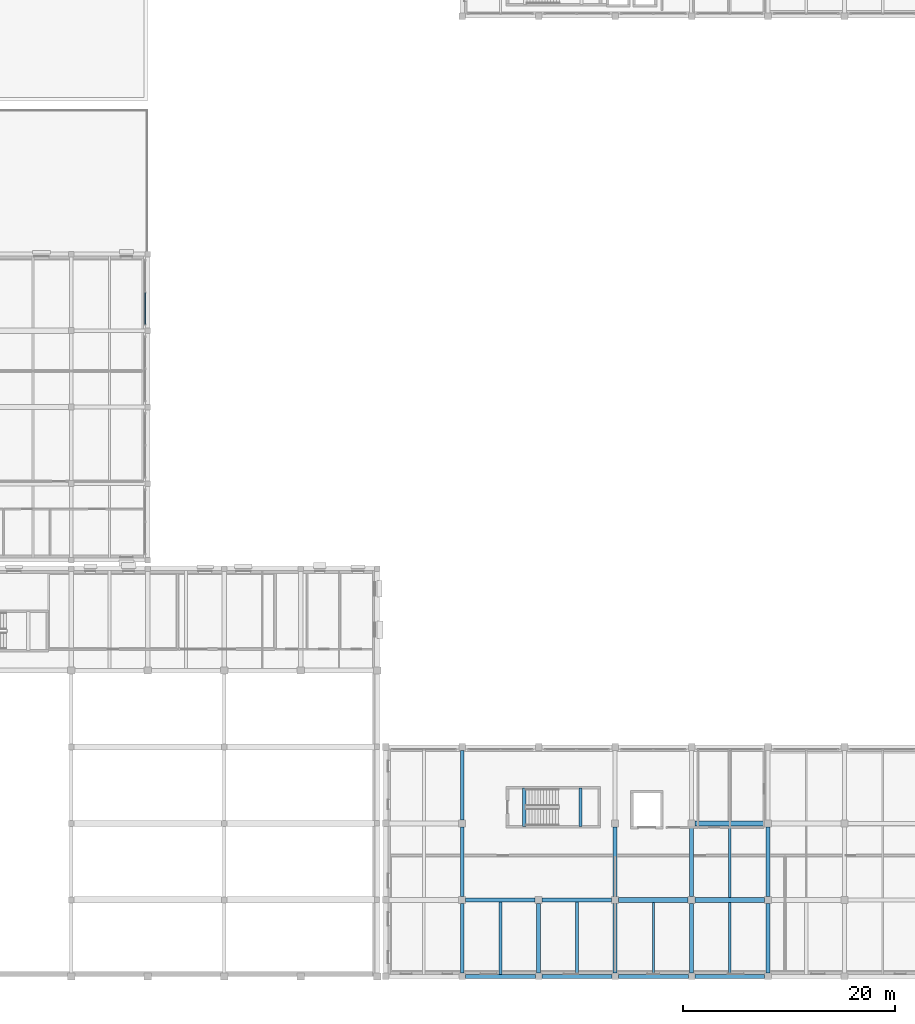
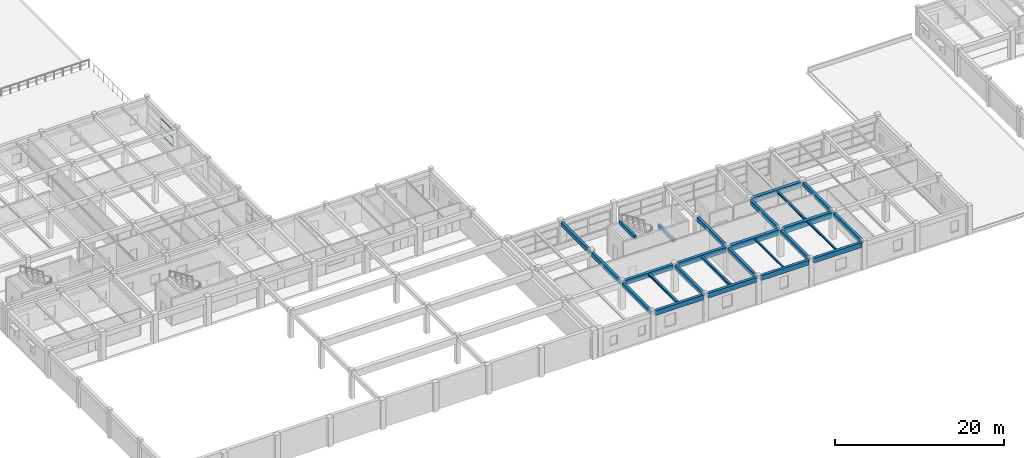
# One storey, part 11 of 67: 26 beams, 3 members, 1 element without a shape of its own.
"""IFC4 building model written with IfcOpenShell, lengths in metres."""

from ifc_helpers import new_model, si_unit, direction, frame, origin, origin_2d, place, context, subcontext, project, spatial, rectangle, hollow_rectangle, i_section, extrude, material, material_profile, profile_set, type_object, element, aggregate, save


model = new_model("IFC4")

# Units and contexts
model_context = context("Model", 3, precision=1e-05, world=origin(), true_north=direction((0.0, 1.0)))
body_context = subcontext(model_context, "Body", "Model", "MODEL_VIEW")
ifc_project = project(units=[si_unit("LENGTHUNIT", "METRE"), si_unit("AREAUNIT", "SQUARE_METRE"), si_unit("VOLUMEUNIT", "CUBIC_METRE"), si_unit("PLANEANGLEUNIT", "RADIAN"), si_unit("MASSUNIT", "GRAM", prefix="KILO")], contexts=[model_context])

# Site, building, storey
site_placement = place(None, origin())
site = spatial("IfcSite", under=ifc_project, at=site_placement, CompositionType="ELEMENT")
building_placement = place(site_placement, origin())
building = spatial("IfcBuilding", under=site, at=building_placement, Name="Bramveld Media Centre", CompositionType="ELEMENT")
storey_placement = place(building_placement, frame((0.0, 0.0, 5.39990234375)))
storey = spatial("IfcBuildingStorey", under=building, at=storey_placement, Name="L01", CompositionType="ELEMENT", Elevation=5.39990234375)

# Beams
ifc_material_1 = material(Name="Concrete C40/50", Category="concrete")
ifc_material_profile_1 = material_profile(ifc_material_1, rectangle(XDim=0.300048828125, YDim=0.5, at=origin_2d()), Name="RC 300x500")
ifc_profile_set_1 = profile_set([ifc_material_profile_1], Name="Concrete C40/50")
beam_type_1 = type_object("IfcBeamType", Name="BM-INT-RC-300x500", PredefinedType="BEAM", material=ifc_profile_set_1)
for number, where, z_axis, x_axis, name in (
    (1, (71.449951171875, 14.10009765625, 3.9501953125), (0.0, 1.0, 0.0), (-1.0, 0.0, 0.0), "ST-06 L02 stairwell landing trimmer beam"),
    (2, (76.75, 14.10009765625, 1.650146484375), (0.0, 1.0, 0.0), (-1.0, 0.0, 0.0), "ST-06 L01 stairwell half-landing support beam"),
):
    element("IfcBeam", number, at=place(storey_placement, frame(where, z_axis=z_axis, x_axis=x_axis)), inside=storey, type_object=beam_type_1, Name=name, PredefinedType="BEAM", context=body_context, shape_type="SweptSolid", body=[
        extrude(rectangle(XDim=0.300048828125, YDim=0.5, at=origin_2d()), origin(), (0.0, 0.0, 1.0), 3.64990234375),
    ])
ifc_material_2 = material(Name="Concrete C40/50", Category="concrete")
ifc_material_profile_2 = material_profile(ifc_material_2, rectangle(XDim=0.35009765625, YDim=0.60009765625, at=origin_2d()), Name="RC 350x600")
ifc_profile_set_2 = profile_set([ifc_material_profile_2], Name="Concrete C40/50")
beam_type_2 = type_object("IfcBeamType", Name="BM-INT-RC-350x600", PredefinedType="BEAM", material=ifc_profile_set_2)
beam_1_placement = place(storey_placement, frame((65.60009765625, 0.31005859375, 3.650146484375), z_axis=(0.0, 1.0, 0.0), x_axis=(-1.0, 0.0, 0.0)))
element("IfcBeam", 3, at=beam_1_placement, inside=storey, type_object=beam_type_2, Name="V5 L01 girder Y-744", PredefinedType="BEAM", context=body_context, shape_type="SweptSolid", body=[
    extrude(rectangle(XDim=0.35009765625, YDim=0.60009765625, at=origin_2d()), origin(), (0.0, 0.0, 1.0), 6.56494140625),
])
beam_2_placement = place(storey_placement, frame((65.60009765625, 7.52490234375, 3.650146484375), z_axis=(0.0, 1.0, 0.0), x_axis=(-1.0, 0.0, 0.0)))
element("IfcBeam", 4, at=beam_2_placement, inside=storey, type_object=beam_type_2, Name="V5 L01 girder Y-745", PredefinedType="BEAM", context=body_context, shape_type="SweptSolid", body=[
    extrude(rectangle(XDim=0.35009765625, YDim=0.60009765625, at=origin_2d()), origin(), (0.0, 0.0, 1.0), 6.550048828125),
])
for number, where, z_axis, x_axis, name in (
    (5, (65.60009765625, 14.72509765625, 3.650146484375), (0.0, 1.0, 0.0), (-1.0, 0.0, 0.0), "V5 L01 girder Y-746"),
    (6, (72.800048828125, 0.31005859375, 3.650146484375), (0.0, 1.0, 0.0), (-1.0, 0.0, 0.0), "V5 L01 girder Y-747"),
    (7, (80.0, 0.31005859375, 3.650146484375), (0.0, 1.0, 0.0), (-1.0, 0.0, 0.0), "V5 L01 girder Y-748"),
):
    element("IfcBeam", number, at=place(storey_placement, frame(where, z_axis=z_axis, x_axis=x_axis)), inside=storey, type_object=beam_type_2, Name=name, PredefinedType="BEAM", context=body_context, shape_type="SweptSolid", body=[
        extrude(rectangle(XDim=0.35009765625, YDim=0.60009765625, at=origin_2d()), origin(), (0.0, 0.0, 1.0), 6.56494140625),
    ])
beam_3_placement = place(storey_placement, frame((80.0, 7.52490234375, 3.650146484375), z_axis=(0.0, 1.0, 0.0), x_axis=(-1.0, 0.0, 0.0)))
element("IfcBeam", 8, at=beam_3_placement, inside=storey, type_object=beam_type_2, Name="V5 L01 girder Y-749", PredefinedType="BEAM", context=body_context, shape_type="SweptSolid", body=[
    extrude(rectangle(XDim=0.35009765625, YDim=0.60009765625, at=origin_2d()), origin(), (0.0, 0.0, 1.0), 6.550048828125),
])
beam_4_placement = place(storey_placement, frame((87.199951171875, 0.31005859375, 3.650146484375), z_axis=(0.0, 1.0, 0.0), x_axis=(-1.0, 0.0, 0.0)))
element("IfcBeam", 9, at=beam_4_placement, inside=storey, type_object=beam_type_2, Name="V5 L01 girder Y-751", PredefinedType="BEAM", context=body_context, shape_type="SweptSolid", body=[
    extrude(rectangle(XDim=0.35009765625, YDim=0.60009765625, at=origin_2d()), origin(), (0.0, 0.0, 1.0), 6.56494140625),
])
beam_5_placement = place(storey_placement, frame((87.199951171875, 7.52490234375, 3.650146484375), z_axis=(0.0, 1.0, 0.0), x_axis=(-1.0, 0.0, 0.0)))
element("IfcBeam", 10, at=beam_5_placement, inside=storey, type_object=beam_type_2, Name="V5 L01 girder Y-752", PredefinedType="BEAM", context=body_context, shape_type="SweptSolid", body=[
    extrude(rectangle(XDim=0.35009765625, YDim=0.60009765625, at=origin_2d()), origin(), (0.0, 0.0, 1.0), 6.550048828125),
])
beam_6_placement = place(storey_placement, frame((94.39990234375, 0.31005859375, 3.650146484375), z_axis=(0.0, 1.0, 0.0), x_axis=(-1.0, 0.0, 0.0)))
element("IfcBeam", 11, at=beam_6_placement, inside=storey, type_object=beam_type_2, Name="V5 L01 girder Y-754", PredefinedType="BEAM", context=body_context, shape_type="SweptSolid", body=[
    extrude(rectangle(XDim=0.35009765625, YDim=0.60009765625, at=origin_2d()), origin(), (0.0, 0.0, 1.0), 6.56494140625),
])
beam_7_placement = place(storey_placement, frame((94.39990234375, 7.52490234375, 3.650146484375), z_axis=(0.0, 1.0, 0.0), x_axis=(-1.0, 0.0, 0.0)))
element("IfcBeam", 12, at=beam_7_placement, inside=storey, type_object=beam_type_2, Name="V5 L01 girder Y-755", PredefinedType="BEAM", context=body_context, shape_type="SweptSolid", body=[
    extrude(rectangle(XDim=0.35009765625, YDim=0.60009765625, at=origin_2d()), origin(), (0.0, 0.0, 1.0), 6.550048828125),
])
ifc_material_3 = material(Name="Concrete C40/50", Category="concrete")
ifc_material_profile_3 = material_profile(ifc_material_3, rectangle(XDim=0.39990234375, YDim=0.64990234375, at=origin_2d()), Name="RC 400x650")
ifc_profile_set_3 = profile_set([ifc_material_profile_3], Name="Concrete C40/50")
beam_type_3 = type_object("IfcBeamType", Name="BM-INT-RC-400x650", PredefinedType="BEAM", material=ifc_profile_set_3)
beam_8_placement = place(storey_placement, frame((65.925048828125, 7.199951171875, 3.625), z_axis=(1.0, 0.0, 0.0), x_axis=(0.0, 1.0, 0.0)))
element("IfcBeam", 13, at=beam_8_placement, inside=storey, type_object=beam_type_3, Name="V5 L01 girder X-724", PredefinedType="BEAM", context=body_context, shape_type="SweptSolid", body=[
    extrude(rectangle(XDim=0.39990234375, YDim=0.64990234375, at=origin_2d()), origin(), (0.0, 0.0, 1.0), 6.550048828125),
])
ifc_material_4 = material(Name="Concrete C40/50", Category="concrete")
ifc_material_profile_4 = material_profile(ifc_material_4, rectangle(XDim=0.39990234375, YDim=0.699951171875, at=origin_2d()), Name="RC 400x700")
ifc_profile_set_4 = profile_set([ifc_material_profile_4], Name="Concrete C40/50")
beam_type_4 = type_object("IfcBeamType", Name="BM-INT-RC-400x700", PredefinedType="BEAM", material=ifc_profile_set_4)
beam_9_placement = place(storey_placement, frame((73.125, 7.199951171875, 3.60009765625), z_axis=(1.0, 0.0, 0.0), x_axis=(0.0, 1.0, 0.0)))
element("IfcBeam", 14, at=beam_9_placement, inside=storey, type_object=beam_type_4, Name="V5 L01 girder X-725", PredefinedType="BEAM", context=body_context, shape_type="SweptSolid", body=[
    extrude(rectangle(XDim=0.39990234375, YDim=0.699951171875, at=origin_2d()), origin(), (0.0, 0.0, 1.0), 6.550048828125),
])
ifc_material_5 = material(Name="Concrete C40/50", Category="concrete")
ifc_material_profile_5 = material_profile(ifc_material_5, rectangle(XDim=0.449951171875, YDim=0.75, at=origin_2d()), Name="RC 450x750")
ifc_profile_set_5 = profile_set([ifc_material_profile_5], Name="Concrete C40/50")
beam_type_5 = type_object("IfcBeamType", Name="BM-INT-RC-450x750", PredefinedType="BEAM", material=ifc_profile_set_5)
beam_10_placement = place(storey_placement, frame((80.324951171875, 7.199951171875, 3.5751953125), z_axis=(1.0, 0.0, 0.0), x_axis=(0.0, 1.0, 0.0)))
element("IfcBeam", 15, at=beam_10_placement, inside=storey, type_object=beam_type_5, Name="V5 L01 girder X-726", PredefinedType="BEAM", context=body_context, shape_type="SweptSolid", body=[
    extrude(rectangle(XDim=0.449951171875, YDim=0.75, at=origin_2d()), origin(), (0.0, 0.0, 1.0), 6.550048828125),
])
ifc_material_6 = material(Name="Concrete C40/50", Category="concrete")
ifc_material_profile_6 = material_profile(ifc_material_6, rectangle(XDim=0.449951171875, YDim=0.800048828125, at=origin_2d()), Name="RC 450x800")
ifc_profile_set_6 = profile_set([ifc_material_profile_6], Name="Concrete C40/50")
beam_type_6 = type_object("IfcBeamType", Name="BM-INT-RC-450x800", PredefinedType="BEAM", material=ifc_profile_set_6)
for number, where, z_axis, x_axis, name in (
    (16, (87.52490234375, 7.199951171875, 3.550048828125), (1.0, 0.0, 0.0), (0.0, 1.0, 0.0), "V5 L01 girder X-727"),
    (17, (87.52490234375, 14.39990234375, 3.550048828125), (1.0, 0.0, 0.0), (0.0, 1.0, 0.0), "V5 L01 girder X-731"),
):
    element("IfcBeam", number, at=place(storey_placement, frame(where, z_axis=z_axis, x_axis=x_axis)), inside=storey, type_object=beam_type_6, Name=name, PredefinedType="BEAM", context=body_context, shape_type="SweptSolid", body=[
        extrude(rectangle(XDim=0.449951171875, YDim=0.800048828125, at=origin_2d()), origin(), (0.0, 0.0, 1.0), 6.550048828125),
    ])

# Curtain wall, members
ifc_material_7 = material(Name="Thermally broken anodized bronze aluminium unitized curtain wall with solar-control triple glazing", Category="aluminium")
curtain_wall_type = type_object("IfcCurtainWallType", Name="CW-FACV3-6100x2330", PredefinedType="NOTDEFINED", material=ifc_material_7)
curtain_wall_placement = place(storey_placement, origin())
curtain_wall = element("IfcCurtainWall", 18, at=curtain_wall_placement, inside=storey, type_object=curtain_wall_type, Name="V3 L01 E curtain wall bay 4", PredefinedType="NOTDEFINED")
ifc_material_8 = material(Name="Thermally broken anodized bronze aluminium EN AW-6063 T6 curtain-wall framing", Category="aluminium")
ifc_material_profile_7 = material_profile(ifc_material_8, hollow_rectangle(XDim=0.06005859375, YDim=0.1201171875, WallThickness=0.00341796875, InnerFilletRadius=0.00341796875, OuterFilletRadius=0.007080078125, at=origin_2d()), Name="AL-TRAN 60x120")
ifc_profile_set_7 = profile_set([ifc_material_profile_7], Name="Thermally broken anodized bronze aluminium EN AW-6063 T6 curtain-wall framing")
member_type = type_object("IfcMemberType", Name="CW-TRAN-EXT", PredefinedType="USERDEFINED", material=ifc_profile_set_7)
member_1_placement = place(storey_placement, frame((35.77001953125, 61.409912109375, 0.880126953125), z_axis=(0.0, 1.0, 0.0), x_axis=(-1.0, 0.0, 0.0)))
member_1 = element("IfcMember", 19, at=member_1_placement, type_object=member_type, Name="CW-FA-6123 transom 1.1", ObjectType="TRANSOM", PredefinedType="USERDEFINED", context=body_context, shape_type="SweptSolid", body=[
    extrude(hollow_rectangle(XDim=0.06005859375, YDim=0.1201171875, WallThickness=0.00341796875, InnerFilletRadius=0.00341796875, OuterFilletRadius=0.007080078125, at=origin_2d()), origin(), (0.0, 0.0, 1.0), 2.960205078125),
])
member_2_placement = place(storey_placement, frame((35.77001953125, 61.409912109375, 2.01513671875), z_axis=(0.0, 1.0, 0.0), x_axis=(-1.0, 0.0, 0.0)))
member_2 = element("IfcMember", 20, at=member_2_placement, type_object=member_type, Name="CW-FA-6123 transom 1.2", ObjectType="TRANSOM", PredefinedType="USERDEFINED", context=body_context, shape_type="SweptSolid", body=[
    extrude(hollow_rectangle(XDim=0.06005859375, YDim=0.1201171875, WallThickness=0.00341796875, InnerFilletRadius=0.00341796875, OuterFilletRadius=0.007080078125, at=origin_2d()), origin(), (0.0, 0.0, 1.0), 2.960205078125),
])
member_3_placement = place(storey_placement, frame((35.77001953125, 61.409912109375, 3.150146484375), z_axis=(0.0, 1.0, 0.0), x_axis=(-1.0, 0.0, 0.0)))
member_3 = element("IfcMember", 21, at=member_3_placement, type_object=member_type, Name="CW-FA-6123 transom 1.3", ObjectType="TRANSOM", PredefinedType="USERDEFINED", context=body_context, shape_type="SweptSolid", body=[
    extrude(hollow_rectangle(XDim=0.06005859375, YDim=0.1201171875, WallThickness=0.00341796875, InnerFilletRadius=0.00341796875, OuterFilletRadius=0.007080078125, at=origin_2d()), origin(), (0.0, 0.0, 1.0), 2.960205078125),
])
aggregate(curtain_wall, [member_1, member_2, member_3])

# Beams
ifc_material_9 = material(Name="Steel S355J2", Category="steel")
ifc_material_profile_8 = material_profile(ifc_material_9, i_section(OverallWidth=0.300048828125, OverallDepth=0.31005859375, WebThickness=0.009033203125, FlangeThickness=0.015380859375, FilletRadius=0.027099609375, at=origin_2d()), Name="HEA 320")
ifc_profile_set_8 = profile_set([ifc_material_profile_8], Name="Steel S355J2")
beam_type_7 = type_object("IfcBeamType", Name="SBM-INT-HEA-320", PredefinedType="BEAM", material=ifc_profile_set_8)
beam_11_placement = place(storey_placement, frame((69.199951171875, 0.18994140625, 3.795166015625), z_axis=(0.0, 1.0, 0.0), x_axis=(-1.0, 0.0, 0.0)))
element("IfcBeam", 22, at=beam_11_placement, inside=storey, type_object=beam_type_7, Name="V5 L01 secondary floor joist 766", PredefinedType="BEAM", context=body_context, shape_type="SweptSolid", body=[
    extrude(i_section(OverallWidth=0.300048828125, OverallDepth=0.31005859375, WebThickness=0.009033203125, FlangeThickness=0.015380859375, FilletRadius=0.027099609375, at=origin_2d()), origin(), (0.0, 0.0, 1.0), 6.81005859375),
])
ifc_material_10 = material(Name="Steel S355J2", Category="steel")
ifc_material_profile_9 = material_profile(ifc_material_10, i_section(OverallWidth=0.300048828125, OverallDepth=0.389892578125, WebThickness=0.010986328125, FlangeThickness=0.01904296875, FilletRadius=0.027099609375, at=origin_2d()), Name="HEA 400")
ifc_profile_set_9 = profile_set([ifc_material_profile_9], Name="Steel S355J2")
beam_type_8 = type_object("IfcBeamType", Name="SBM-INT-HEA-400", PredefinedType="BEAM", material=ifc_profile_set_9)
beam_12_placement = place(storey_placement, frame((76.39990234375, 0.18994140625, 3.755126953125), z_axis=(0.0, 1.0, 0.0), x_axis=(-1.0, 0.0, 0.0)))
element("IfcBeam", 23, at=beam_12_placement, inside=storey, type_object=beam_type_8, Name="V5 L01 secondary floor joist 767", PredefinedType="BEAM", context=body_context, shape_type="SweptSolid", body=[
    extrude(i_section(OverallWidth=0.300048828125, OverallDepth=0.389892578125, WebThickness=0.010986328125, FlangeThickness=0.01904296875, FilletRadius=0.027099609375, at=origin_2d()), origin(), (0.0, 0.0, 1.0), 6.81005859375),
])
ifc_material_11 = material(Name="Steel S355J2", Category="steel")
ifc_material_profile_10 = material_profile(ifc_material_11, i_section(OverallWidth=0.199951171875, OverallDepth=0.199951171875, WebThickness=0.009033203125, FlangeThickness=0.014892578125, FilletRadius=0.01806640625, at=origin_2d()), Name="HEB 200")
ifc_profile_set_10 = profile_set([ifc_material_profile_10], Name="Steel S355J2")
beam_type_9 = type_object("IfcBeamType", Name="SBM-INT-HEB-200", PredefinedType="BEAM", material=ifc_profile_set_10)
beam_13_placement = place(storey_placement, frame((83.60009765625, 0.18994140625, 3.85009765625), z_axis=(0.0, 1.0, 0.0), x_axis=(-1.0, 0.0, 0.0)))
element("IfcBeam", 24, at=beam_13_placement, inside=storey, type_object=beam_type_9, Name="V5 L01 secondary floor joist 768", PredefinedType="BEAM", context=body_context, shape_type="SweptSolid", body=[
    extrude(i_section(OverallWidth=0.199951171875, OverallDepth=0.199951171875, WebThickness=0.009033203125, FlangeThickness=0.014892578125, FilletRadius=0.01806640625, at=origin_2d()), origin(), (0.0, 0.0, 1.0), 6.78515625),
])
ifc_material_12 = material(Name="Steel S355J2", Category="steel")
ifc_material_profile_11 = material_profile(ifc_material_12, i_section(OverallWidth=0.219970703125, OverallDepth=0.219970703125, WebThickness=0.009521484375, FlangeThickness=0.01611328125, FilletRadius=0.01806640625, at=origin_2d()), Name="HEB 220")
ifc_profile_set_11 = profile_set([ifc_material_profile_11], Name="Steel S355J2")
beam_type_10 = type_object("IfcBeamType", Name="SBM-INT-HEB-220", PredefinedType="BEAM", material=ifc_profile_set_11)
beam_14_placement = place(storey_placement, frame((90.800048828125, 0.18994140625, 3.840087890625), z_axis=(0.0, 1.0, 0.0), x_axis=(-1.0, 0.0, 0.0)))
element("IfcBeam", 25, at=beam_14_placement, inside=storey, type_object=beam_type_10, Name="V5 L01 secondary floor joist 769", PredefinedType="BEAM", context=body_context, shape_type="SweptSolid", body=[
    extrude(i_section(OverallWidth=0.219970703125, OverallDepth=0.219970703125, WebThickness=0.009521484375, FlangeThickness=0.01611328125, FilletRadius=0.01806640625, at=origin_2d()), origin(), (0.0, 0.0, 1.0), 6.78515625),
])
ifc_material_13 = material(Name="Steel S355J2", Category="steel")
ifc_material_profile_12 = material_profile(ifc_material_13, i_section(OverallWidth=0.260009765625, OverallDepth=0.260009765625, WebThickness=0.010009765625, FlangeThickness=0.017578125, FilletRadius=0.02392578125, at=origin_2d()), Name="HEB 260")
ifc_profile_set_12 = profile_set([ifc_material_profile_12], Name="Steel S355J2")
beam_type_11 = type_object("IfcBeamType", Name="SBM-INT-HEB-260", PredefinedType="BEAM", material=ifc_profile_set_12)
beam_15_placement = place(storey_placement, frame((90.800048828125, 7.425048828125, 3.820068359375), z_axis=(0.0, 1.0, 0.0), x_axis=(-1.0, 0.0, 0.0)))
element("IfcBeam", 26, at=beam_15_placement, inside=storey, type_object=beam_type_11, Name="V5 L01 secondary floor joist 770", PredefinedType="BEAM", context=body_context, shape_type="SweptSolid", body=[
    extrude(i_section(OverallWidth=0.260009765625, OverallDepth=0.260009765625, WebThickness=0.010009765625, FlangeThickness=0.017578125, FilletRadius=0.02392578125, at=origin_2d()), origin(), (0.0, 0.0, 1.0), 6.75),
])
ifc_material_14 = material(Name="Concrete C40/50", Category="concrete")
ifc_material_profile_13 = material_profile(ifc_material_14, rectangle(XDim=0.3798828125, YDim=0.679931640625, at=origin_2d()), Name="RC 380x680")
ifc_profile_set_13 = profile_set([ifc_material_profile_13], Name="Concrete C40/50")
beam_type_12 = type_object("IfcBeamType", Name="SPANDREL-EXT-RC-380x680", PredefinedType="SPANDREL", material=ifc_profile_set_13)
beam_16_placement = place(storey_placement, frame((65.909912109375, 0.0, 3.610107421875), z_axis=(1.0, 0.0, 0.0), x_axis=(0.0, 1.0, 0.0)))
element("IfcBeam", 27, at=beam_16_placement, inside=storey, type_object=beam_type_12, Name="V5 L01 girder X-717", PredefinedType="SPANDREL", context=body_context, shape_type="SweptSolid", body=[
    extrude(rectangle(XDim=0.3798828125, YDim=0.679931640625, at=origin_2d()), origin(), (0.0, 0.0, 1.0), 6.580078125),
])
for number, where, z_axis, x_axis, name in (
    (28, (73.110107421875, 0.0, 3.610107421875), (1.0, 0.0, 0.0), (0.0, 1.0, 0.0), "V5 L01 girder X-718"),
    (29, (80.31005859375, 0.0, 3.610107421875), (1.0, 0.0, 0.0), (0.0, 1.0, 0.0), "V5 L01 girder X-719"),
):
    element("IfcBeam", number, at=place(storey_placement, frame(where, z_axis=z_axis, x_axis=x_axis)), inside=storey, type_object=beam_type_12, Name=name, PredefinedType="SPANDREL", context=body_context, shape_type="SweptSolid", body=[
        extrude(rectangle(XDim=0.3798828125, YDim=0.679931640625, at=origin_2d()), origin(), (0.0, 0.0, 1.0), 6.579833984375),
    ])
beam_17_placement = place(storey_placement, frame((87.510009765625, 0.0, 3.610107421875), z_axis=(1.0, 0.0, 0.0), x_axis=(0.0, 1.0, 0.0)))
element("IfcBeam", 30, at=beam_17_placement, inside=storey, type_object=beam_type_12, Name="V5 L01 girder X-720", PredefinedType="SPANDREL", context=body_context, shape_type="SweptSolid", body=[
    extrude(rectangle(XDim=0.3798828125, YDim=0.679931640625, at=origin_2d()), origin(), (0.0, 0.0, 1.0), 6.580078125),
])

save(model, "model.ifc")
